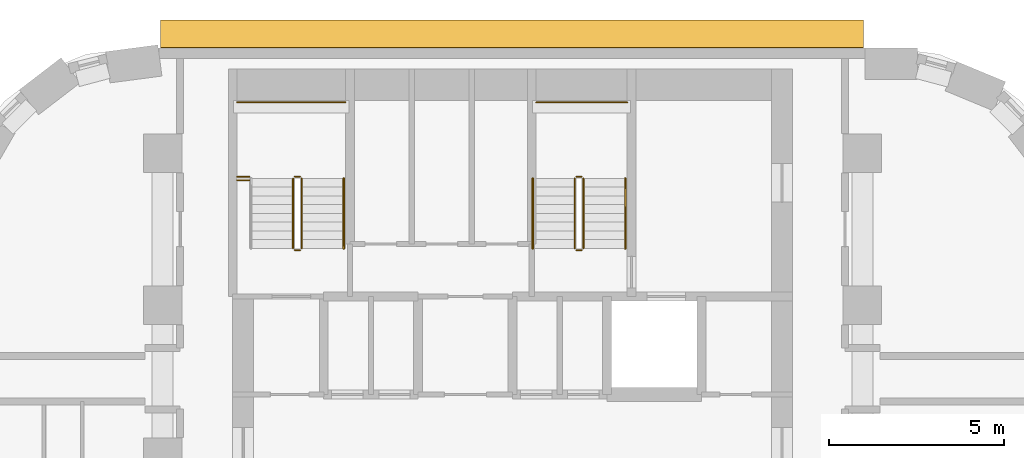
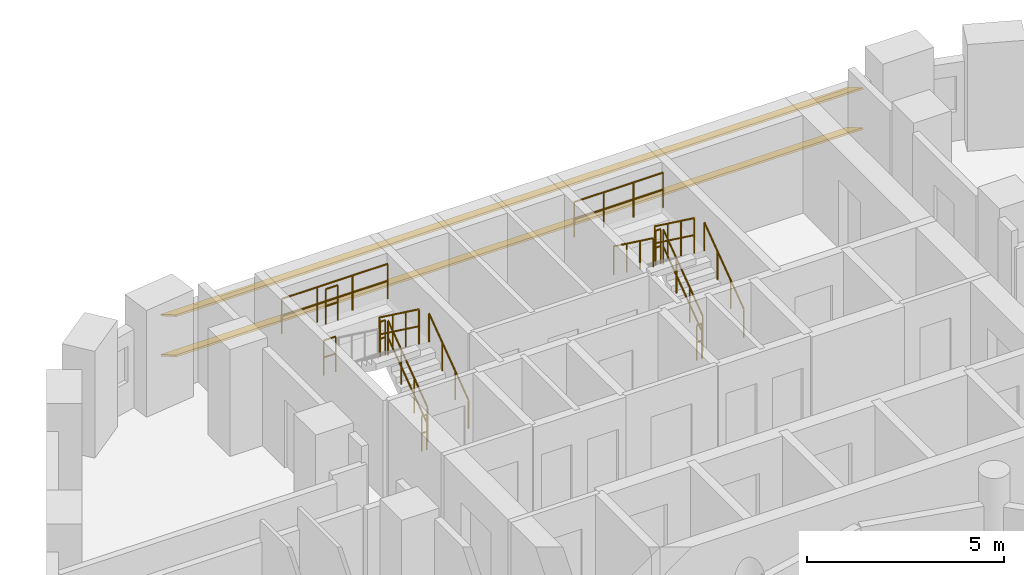
# One storey, part 13 of 13: 15 railings, 2 shading devices.
"""IFC4 building model written with IfcOpenShell, lengths in metres."""

from ifc_helpers import new_model, si_unit, direction, frame, origin, origin_2d, place, context, subcontext, project, spatial, rectangle, circle, extrude, material, material_profile, profile_set, type_object, element, save


model = new_model("IFC4")

# Units and contexts
model_context = context("Model", 3, precision=1e-05, world=origin(), true_north=direction((0.0, 1.0)))
body_context = subcontext(model_context, "Body", "Model", "MODEL_VIEW")
ifc_project = project(units=[si_unit("LENGTHUNIT", "METRE"), si_unit("AREAUNIT", "SQUARE_METRE"), si_unit("VOLUMEUNIT", "CUBIC_METRE"), si_unit("PLANEANGLEUNIT", "RADIAN"), si_unit("MASSUNIT", "GRAM", prefix="KILO")], contexts=[model_context])

# Site, building, storey
site_placement = place(None, origin())
site = spatial("IfcSite", under=ifc_project, at=site_placement, CompositionType="ELEMENT")
building_placement = place(site_placement, origin())
building = spatial("IfcBuilding", under=site, at=building_placement, Name="Nakaniwa Court", CompositionType="ELEMENT")
storey_placement = place(building_placement, frame((0.0, 0.0, 48.0)))
storey = spatial("IfcBuildingStorey", under=building, at=storey_placement, Name="L12", CompositionType="ELEMENT", Elevation=48.0)

# Shading devices
ifc_material_1 = material(Name="Perforated charcoal ceramic louvre blade")
ifc_material_profile = material_profile(ifc_material_1, rectangle(XDim=0.89990234375, YDim=0.050048828125, at=origin_2d()), Name="Perforated ceramic louvre blade")
ifc_profile_set = profile_set([ifc_material_profile], Name="Perforated charcoal ceramic louvre blade")
shading_device_type = type_object("IfcShadingDeviceType", Name="Perforated ceramic louvre blade", PredefinedType="JALOUSIE", material=ifc_profile_set)
for number, where, z_axis, x_axis, name in (
    (1, (90.02880859375, 104.402099609375, 0.550048828125), (-1.0, 0.0, 0.0), (0.0, -0.866025403784, 0.5), "L12 perforated ceramic louvre blade w08 1"),
    (2, (90.02880859375, 104.402099609375, 1.793212890625), (-1.0, 0.0, 0.0), (0.0, -0.866025403784, 0.5), "L12 perforated ceramic louvre blade w08 2"),
):
    element("IfcShadingDevice", number, at=place(storey_placement, frame(where, z_axis=z_axis, x_axis=x_axis)), inside=storey, type_object=shading_device_type, Name=name, PredefinedType="JALOUSIE", context=body_context, shape_type="SweptSolid", body=[
        extrude(rectangle(XDim=0.89990234375, YDim=0.050048828125, at=origin_2d()), origin(), (0.0, 0.0, 1.0), 20.090576171875),
    ])

# Railings
ifc_material_2 = material(Name="Black powder coated steel guard", Category="steel")
railing_type_1 = type_object("IfcRailingType", Name="Stair guard 1100", PredefinedType="GUARDRAIL", material=ifc_material_2)
railing_1_placement = place(storey_placement, frame((73.97509765625, 98.27490234375, 0.183349609375)))
element("IfcRailing", 3, at=railing_1_placement, inside=storey, type_object=railing_type_1, Name="L12 ST1 stair guard 1", PredefinedType="GUARDRAIL", context=body_context, shape_type="SweptSolid", body=[
    extrude(circle(Radius=0.02392578125, at=origin_2d()), frame((0.0, 0.0, 1.076171875), z_axis=(0.0, 0.806426902644, 0.591333789573), x_axis=(-1.0, 0.0, 0.0)), (0.0, 0.0, 1.0), 2.47998046875),
    extrude(circle(Radius=0.02392578125, at=origin_2d()), frame((0.0, 0.0, 0.550048828125), z_axis=(0.0, 0.806426902644, 0.591333789573), x_axis=(-1.0, 0.0, 0.0)), (0.0, 0.0, 1.0), 2.47998046875),
    extrude(circle(Radius=0.02099609375, at=origin_2d()), origin(), (0.0, 0.0, 1.0), 1.052001953125),
    extrude(circle(Radius=0.02099609375, at=origin_2d()), frame((0.0, 0.666748046875, 0.48876953125)), (0.0, 0.0, 1.0), 1.052001953125),
    extrude(circle(Radius=0.02099609375, at=origin_2d()), frame((0.0, 1.333251953125, 0.977783203125)), (0.0, 0.0, 1.0), 1.052001953125),
    extrude(circle(Radius=0.02099609375, at=origin_2d()), frame((0.0, 2.0, 1.466552734375)), (0.0, 0.0, 1.0), 1.052001953125),
])
railing_2_placement = place(storey_placement, frame((73.925048828125, 100.324951171875, 1.64990234375)))
element("IfcRailing", 4, at=railing_2_placement, inside=storey, type_object=railing_type_1, Name="L12 ST1 stair guard 2", PredefinedType="GUARDRAIL", context=body_context, shape_type="SweptSolid", body=[
    extrude(circle(Radius=0.02392578125, at=origin_2d()), frame((0.0, 0.0, 1.076171875), z_axis=(-1.0, 0.0, 0.0), x_axis=(0.0, -1.0, 0.0)), (0.0, 0.0, 1.0), 0.150146484375),
    extrude(circle(Radius=0.02392578125, at=origin_2d()), frame((0.0, 0.0, 0.550048828125), z_axis=(-1.0, 0.0, 0.0), x_axis=(0.0, -1.0, 0.0)), (0.0, 0.0, 1.0), 0.150146484375),
    extrude(circle(Radius=0.02099609375, at=origin_2d()), origin(), (0.0, 0.0, 1.0), 1.052001953125),
    extrude(circle(Radius=0.02099609375, at=origin_2d()), frame((-0.150146484375, 0.0, 0.0)), (0.0, 0.0, 1.0), 1.052001953125),
])
railing_3_placement = place(storey_placement, frame((73.72509765625, 100.27490234375, 1.833251953125)))
element("IfcRailing", 5, at=railing_3_placement, inside=storey, type_object=railing_type_1, Name="L12 ST1 stair guard 3", PredefinedType="GUARDRAIL", context=body_context, shape_type="SweptSolid", body=[
    extrude(circle(Radius=0.02392578125, at=origin_2d()), frame((0.0, 0.0, 1.076171875), z_axis=(0.0, -0.806379959628, 0.591397802423), x_axis=(1.0, 0.0, 0.0)), (0.0, 0.0, 1.0), 2.480224609375),
    extrude(circle(Radius=0.02392578125, at=origin_2d()), frame((0.0, 0.0, 0.550048828125), z_axis=(0.0, -0.806379959628, 0.591397802423), x_axis=(1.0, 0.0, 0.0)), (0.0, 0.0, 1.0), 2.480224609375),
    extrude(circle(Radius=0.02099609375, at=origin_2d()), origin(), (0.0, 0.0, 1.0), 1.052001953125),
    extrude(circle(Radius=0.02099609375, at=origin_2d()), frame((0.0, -0.666748046875, 0.489013671875)), (0.0, 0.0, 1.0), 1.052001953125),
    extrude(circle(Radius=0.02099609375, at=origin_2d()), frame((0.0, -1.333251953125, 0.977783203125)), (0.0, 0.0, 1.0), 1.052001953125),
    extrude(circle(Radius=0.02099609375, at=origin_2d()), frame((0.0, -2.0, 1.466796875)), (0.0, 0.0, 1.0), 1.052001953125),
])
railing_4_placement = place(storey_placement, frame((73.925048828125, 98.22509765625, 0.0)))
element("IfcRailing", 6, at=railing_4_placement, inside=storey, type_object=railing_type_1, Name="L12 ST1 stair guard 4", PredefinedType="GUARDRAIL", context=body_context, shape_type="SweptSolid", body=[
    extrude(circle(Radius=0.02392578125, at=origin_2d()), frame((0.0, 0.0, 1.076171875), z_axis=(-1.0, 0.0, 0.0), x_axis=(0.0, -1.0, 0.0)), (0.0, 0.0, 1.0), 0.150146484375),
    extrude(circle(Radius=0.02392578125, at=origin_2d()), frame((0.0, 0.0, 0.550048828125), z_axis=(-1.0, 0.0, 0.0), x_axis=(0.0, -1.0, 0.0)), (0.0, 0.0, 1.0), 0.150146484375),
    extrude(circle(Radius=0.02099609375, at=origin_2d()), origin(), (0.0, 0.0, 1.0), 1.052001953125),
    extrude(circle(Radius=0.02099609375, at=origin_2d()), frame((-0.150146484375, 0.0, 0.0)), (0.0, 0.0, 1.0), 1.052001953125),
])
railing_5_placement = place(storey_placement, frame((72.125, 102.449951171875, 1.64990234375)))
element("IfcRailing", 7, at=railing_5_placement, inside=storey, type_object=railing_type_1, Name="L12 ST1 landing end guard 1", PredefinedType="GUARDRAIL", context=body_context, shape_type="SweptSolid", body=[
    extrude(circle(Radius=0.02392578125, at=origin_2d()), frame((0.0, 0.0, 1.076171875), z_axis=(1.0, 0.0, 0.0), x_axis=(0.0, 1.0, 0.0)), (0.0, 0.0, 1.0), 3.10009765625),
    extrude(circle(Radius=0.02392578125, at=origin_2d()), frame((0.0, 0.0, 0.550048828125), z_axis=(1.0, 0.0, 0.0), x_axis=(0.0, 1.0, 0.0)), (0.0, 0.0, 1.0), 3.10009765625),
    extrude(circle(Radius=0.02099609375, at=origin_2d()), origin(), (0.0, 0.0, 1.0), 1.052001953125),
    extrude(circle(Radius=0.02099609375, at=origin_2d()), frame((1.033447265625, 0.0, 0.0)), (0.0, 0.0, 1.0), 1.052001953125),
    extrude(circle(Radius=0.02099609375, at=origin_2d()), frame((2.066650390625, 0.0, 0.0)), (0.0, 0.0, 1.0), 1.052001953125),
    extrude(circle(Radius=0.02099609375, at=origin_2d()), frame((3.10009765625, 0.0, 0.0)), (0.0, 0.0, 1.0), 1.052001953125),
])
for number, where, name in (
    (8, (72.125, 100.324951171875, 1.64990234375), "L12 ST1 landing side guard 1W"),
    (9, (72.125, 100.22509765625, 3.300048828125), "L12 ST1 floor edge guard 1W"),
):
    element("IfcRailing", number, at=place(storey_placement, frame(where)), inside=storey, type_object=railing_type_1, Name=name, PredefinedType="GUARDRAIL", context=body_context, shape_type="SweptSolid", body=[
        extrude(circle(Radius=0.02392578125, at=origin_2d()), frame((0.0, 0.0, 1.076171875), z_axis=(1.0, 0.0, 0.0), x_axis=(0.0, 1.0, 0.0)), (0.0, 0.0, 1.0), 0.35009765625),
        extrude(circle(Radius=0.02392578125, at=origin_2d()), frame((0.0, 0.0, 0.550048828125), z_axis=(1.0, 0.0, 0.0), x_axis=(0.0, 1.0, 0.0)), (0.0, 0.0, 1.0), 0.35009765625),
        extrude(circle(Radius=0.02099609375, at=origin_2d()), origin(), (0.0, 0.0, 1.0), 1.052001953125),
        extrude(circle(Radius=0.02099609375, at=origin_2d()), frame((0.35009765625, 0.0, 0.0)), (0.0, 0.0, 1.0), 1.052001953125),
    ])
railing_6_placement = place(storey_placement, frame((82.02490234375, 98.27490234375, 0.183349609375)))
element("IfcRailing", 10, at=railing_6_placement, inside=storey, type_object=railing_type_1, Name="L12 ST2 stair guard 1", PredefinedType="GUARDRAIL", context=body_context, shape_type="SweptSolid", body=[
    extrude(circle(Radius=0.02392578125, at=origin_2d()), frame((0.0, 0.0, 1.076171875), z_axis=(0.0, 0.806426902644, 0.591333789573), x_axis=(-1.0, 0.0, 0.0)), (0.0, 0.0, 1.0), 2.47998046875),
    extrude(circle(Radius=0.02392578125, at=origin_2d()), frame((0.0, 0.0, 0.550048828125), z_axis=(0.0, 0.806426902644, 0.591333789573), x_axis=(-1.0, 0.0, 0.0)), (0.0, 0.0, 1.0), 2.47998046875),
    extrude(circle(Radius=0.02099609375, at=origin_2d()), origin(), (0.0, 0.0, 1.0), 1.052001953125),
    extrude(circle(Radius=0.02099609375, at=origin_2d()), frame((0.0, 0.666748046875, 0.48876953125)), (0.0, 0.0, 1.0), 1.052001953125),
    extrude(circle(Radius=0.02099609375, at=origin_2d()), frame((0.0, 1.333251953125, 0.977783203125)), (0.0, 0.0, 1.0), 1.052001953125),
    extrude(circle(Radius=0.02099609375, at=origin_2d()), frame((0.0, 2.0, 1.466552734375)), (0.0, 0.0, 1.0), 1.052001953125),
])
railing_7_placement = place(storey_placement, frame((81.97509765625, 100.324951171875, 1.64990234375)))
element("IfcRailing", 11, at=railing_7_placement, inside=storey, type_object=railing_type_1, Name="L12 ST2 stair guard 2", PredefinedType="GUARDRAIL", context=body_context, shape_type="SweptSolid", body=[
    extrude(circle(Radius=0.02392578125, at=origin_2d()), frame((0.0, 0.0, 1.076171875), z_axis=(-1.0, 0.0, 0.0), x_axis=(0.0, -1.0, 0.0)), (0.0, 0.0, 1.0), 0.150146484375),
    extrude(circle(Radius=0.02392578125, at=origin_2d()), frame((0.0, 0.0, 0.550048828125), z_axis=(-1.0, 0.0, 0.0), x_axis=(0.0, -1.0, 0.0)), (0.0, 0.0, 1.0), 0.150146484375),
    extrude(circle(Radius=0.02099609375, at=origin_2d()), origin(), (0.0, 0.0, 1.0), 1.052001953125),
    extrude(circle(Radius=0.02099609375, at=origin_2d()), frame((-0.150146484375, 0.0, 0.0)), (0.0, 0.0, 1.0), 1.052001953125),
])
railing_8_placement = place(storey_placement, frame((81.77490234375, 100.27490234375, 1.833251953125)))
element("IfcRailing", 12, at=railing_8_placement, inside=storey, type_object=railing_type_1, Name="L12 ST2 stair guard 3", PredefinedType="GUARDRAIL", context=body_context, shape_type="SweptSolid", body=[
    extrude(circle(Radius=0.02392578125, at=origin_2d()), frame((0.0, 0.0, 1.076171875), z_axis=(0.0, -0.806379959628, 0.591397802423), x_axis=(1.0, 0.0, 0.0)), (0.0, 0.0, 1.0), 2.480224609375),
    extrude(circle(Radius=0.02392578125, at=origin_2d()), frame((0.0, 0.0, 0.550048828125), z_axis=(0.0, -0.806379959628, 0.591397802423), x_axis=(1.0, 0.0, 0.0)), (0.0, 0.0, 1.0), 2.480224609375),
    extrude(circle(Radius=0.02099609375, at=origin_2d()), origin(), (0.0, 0.0, 1.0), 1.052001953125),
    extrude(circle(Radius=0.02099609375, at=origin_2d()), frame((0.0, -0.666748046875, 0.489013671875)), (0.0, 0.0, 1.0), 1.052001953125),
    extrude(circle(Radius=0.02099609375, at=origin_2d()), frame((0.0, -1.333251953125, 0.977783203125)), (0.0, 0.0, 1.0), 1.052001953125),
    extrude(circle(Radius=0.02099609375, at=origin_2d()), frame((0.0, -2.0, 1.466796875)), (0.0, 0.0, 1.0), 1.052001953125),
])
railing_9_placement = place(storey_placement, frame((81.97509765625, 98.22509765625, 0.0)))
element("IfcRailing", 13, at=railing_9_placement, inside=storey, type_object=railing_type_1, Name="L12 ST2 stair guard 4", PredefinedType="GUARDRAIL", context=body_context, shape_type="SweptSolid", body=[
    extrude(circle(Radius=0.02392578125, at=origin_2d()), frame((0.0, 0.0, 1.076171875), z_axis=(-1.0, 0.0, 0.0), x_axis=(0.0, -1.0, 0.0)), (0.0, 0.0, 1.0), 0.150146484375),
    extrude(circle(Radius=0.02392578125, at=origin_2d()), frame((0.0, 0.0, 0.550048828125), z_axis=(-1.0, 0.0, 0.0), x_axis=(0.0, -1.0, 0.0)), (0.0, 0.0, 1.0), 0.150146484375),
    extrude(circle(Radius=0.02099609375, at=origin_2d()), origin(), (0.0, 0.0, 1.0), 1.052001953125),
    extrude(circle(Radius=0.02099609375, at=origin_2d()), frame((-0.150146484375, 0.0, 0.0)), (0.0, 0.0, 1.0), 1.052001953125),
])
railing_10_placement = place(storey_placement, frame((80.675048828125, 102.449951171875, 1.64990234375)))
element("IfcRailing", 14, at=railing_10_placement, inside=storey, type_object=railing_type_1, Name="L12 ST2 landing end guard 1", PredefinedType="GUARDRAIL", context=body_context, shape_type="SweptSolid", body=[
    extrude(circle(Radius=0.02392578125, at=origin_2d()), frame((0.0, 0.0, 1.076171875), z_axis=(1.0, 0.0, 0.0), x_axis=(0.0, 1.0, 0.0)), (0.0, 0.0, 1.0), 2.599853515625),
    extrude(circle(Radius=0.02392578125, at=origin_2d()), frame((0.0, 0.0, 0.550048828125), z_axis=(1.0, 0.0, 0.0), x_axis=(0.0, 1.0, 0.0)), (0.0, 0.0, 1.0), 2.599853515625),
    extrude(circle(Radius=0.02099609375, at=origin_2d()), origin(), (0.0, 0.0, 1.0), 1.052001953125),
    extrude(circle(Radius=0.02099609375, at=origin_2d()), frame((0.86669921875, 0.0, 0.0)), (0.0, 0.0, 1.0), 1.052001953125),
    extrude(circle(Radius=0.02099609375, at=origin_2d()), frame((1.733154296875, 0.0, 0.0)), (0.0, 0.0, 1.0), 1.052001953125),
    extrude(circle(Radius=0.02099609375, at=origin_2d()), frame((2.599853515625, 0.0, 0.0)), (0.0, 0.0, 1.0), 1.052001953125),
])
ifc_material_3 = material(Name="Black powder coated steel handrail", Category="steel")
railing_type_2 = type_object("IfcRailingType", Name="Stair handrail 900", PredefinedType="HANDRAIL", material=ifc_material_3)
for number, where, name in (
    (15, (75.175048828125, 98.27490234375, 0.183349609375), "L12 ST1 stair handrail 1"),
    (16, (83.22509765625, 98.27490234375, 0.183349609375), "L12 ST2 stair handrail 1"),
):
    element("IfcRailing", number, at=place(storey_placement, frame(where)), inside=storey, type_object=railing_type_2, Name=name, PredefinedType="HANDRAIL", context=body_context, shape_type="SweptSolid", body=[
        extrude(circle(Radius=0.02392578125, at=origin_2d()), frame((0.0, 0.0, 0.8759765625), z_axis=(0.0, 0.806426902644, 0.591333789573), x_axis=(-1.0, 0.0, 0.0)), (0.0, 0.0, 1.0), 2.47998046875),
        extrude(circle(Radius=0.02099609375, at=origin_2d()), origin(), (0.0, 0.0, 1.0), 0.851806640625),
        extrude(circle(Radius=0.02099609375, at=origin_2d()), frame((0.0, 0.666748046875, 0.48876953125)), (0.0, 0.0, 1.0), 0.851806640625),
        extrude(circle(Radius=0.02099609375, at=origin_2d()), frame((0.0, 1.333251953125, 0.977783203125)), (0.0, 0.0, 1.0), 0.851806640625),
        extrude(circle(Radius=0.02099609375, at=origin_2d()), frame((0.0, 2.0, 1.466552734375)), (0.0, 0.0, 1.0), 0.851806640625),
    ])
railing_11_placement = place(storey_placement, frame((80.574951171875, 100.27490234375, 1.833251953125)))
element("IfcRailing", 17, at=railing_11_placement, inside=storey, type_object=railing_type_2, Name="L12 ST2 stair handrail 2", PredefinedType="HANDRAIL", context=body_context, shape_type="SweptSolid", body=[
    extrude(circle(Radius=0.02392578125, at=origin_2d()), frame((0.0, 0.0, 0.8759765625), z_axis=(0.0, -0.806379959628, 0.591397802423), x_axis=(1.0, 0.0, 0.0)), (0.0, 0.0, 1.0), 2.480224609375),
    extrude(circle(Radius=0.02099609375, at=origin_2d()), origin(), (0.0, 0.0, 1.0), 0.851806640625),
    extrude(circle(Radius=0.02099609375, at=origin_2d()), frame((0.0, -0.666748046875, 0.489013671875)), (0.0, 0.0, 1.0), 0.851806640625),
    extrude(circle(Radius=0.02099609375, at=origin_2d()), frame((0.0, -1.333251953125, 0.977783203125)), (0.0, 0.0, 1.0), 0.851806640625),
    extrude(circle(Radius=0.02099609375, at=origin_2d()), frame((0.0, -2.0, 1.466796875)), (0.0, 0.0, 1.0), 0.851806640625),
])

save(model, "model.ifc")
